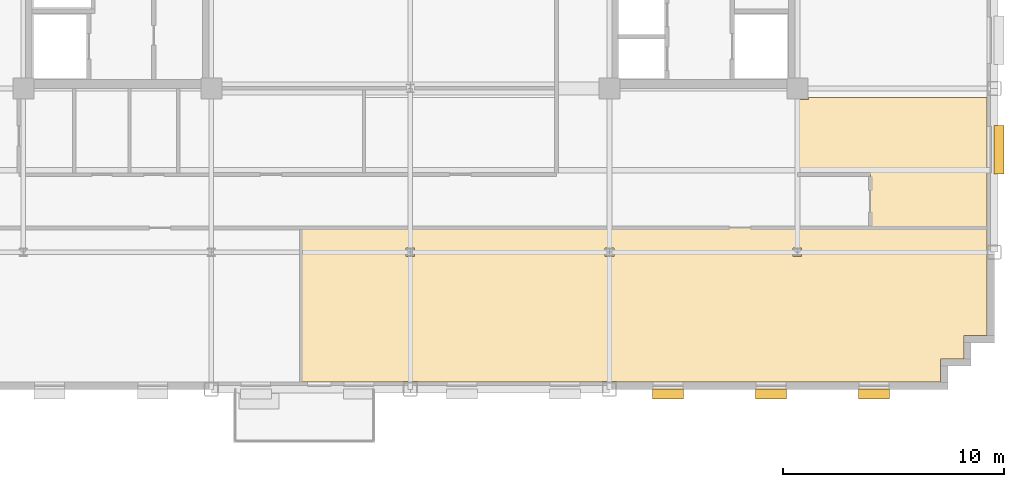
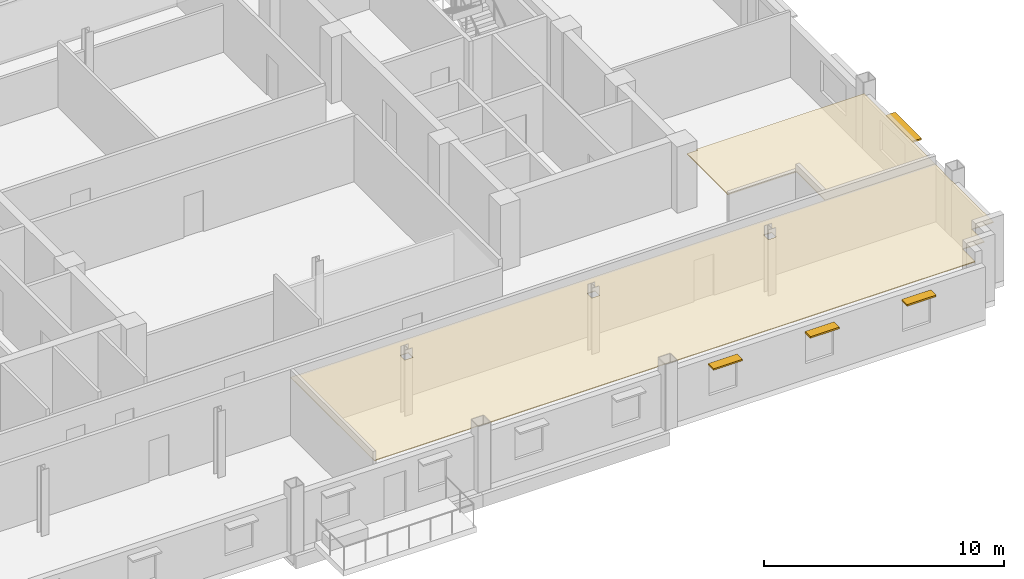
# One storey, part 12 of 14: 4 shading devices, 2 coverings.
"""IFC4 building model written with IfcOpenShell, lengths in metres."""

from ifc_helpers import new_model, si_unit, direction, frame, origin, origin_2d, place, context, subcontext, project, spatial, polyline, rectangle, outline, extrude, source, transform, mapped, material, layer, layer_set, type_object, type_shapes, element, save


model = new_model("IFC4")

# Units and contexts
model_context = context("Model", 3, precision=1e-05, world=origin(), true_north=direction((0.0, 1.0)))
body_context = subcontext(model_context, "Body", "Model", "MODEL_VIEW")
ifc_project = project(units=[si_unit("LENGTHUNIT", "METRE"), si_unit("AREAUNIT", "SQUARE_METRE"), si_unit("VOLUMEUNIT", "CUBIC_METRE"), si_unit("PLANEANGLEUNIT", "RADIAN"), si_unit("MASSUNIT", "GRAM", prefix="KILO")], contexts=[model_context])

# Site, building, storey
site_placement = place(None, origin())
site = spatial("IfcSite", under=ifc_project, at=site_placement, CompositionType="ELEMENT")
building_placement = place(site_placement, origin())
building = spatial("IfcBuilding", under=site, at=building_placement, Name="Nuvemarco Arch Tower", CompositionType="ELEMENT")
storey_placement = place(building_placement, frame((0.0, 0.0, 134.800048828125)))
storey = spatial("IfcBuildingStorey", under=building, at=storey_placement, Name="L35", CompositionType="ELEMENT", Elevation=134.800048828125)

# Coverings
ifc_material_1 = material(Name="Mineral acoustic ceiling tile")
ifc_layer = layer(ifc_material_1, 0.0400390625, Name="COV-ACOUSTIC-CLG")
ifc_layer_set = layer_set([ifc_layer], Name="Mineral acoustic ceiling tile")
covering_type = type_object("IfcCoveringType", Name="COV-ACOUSTIC-CLG", PredefinedType="CEILING", material=ifc_layer_set)
covering_1_placement = place(storey_placement, frame((0.0, 0.0, 2.849853515625)))
element("IfcCovering", 1, at=covering_1_placement, inside=storey, type_object=covering_type, Name="L35 suspended acoustic ceiling 1", PredefinedType="CEILING", context=body_context, shape_type="SweptSolid", body=[
    extrude(outline(polyline([(23.97998046875, -22.8798828125), (9.340087890625, -22.8798828125), (9.340087890625, -22.860107421875), (8.659912109375, -22.860107421875), (8.659912109375, -22.8798828125), (0.340087890625, -22.8798828125), (0.340087890625, -22.860107421875), (-0.340087890625, -22.860107421875), (-0.340087890625, -22.8798828125), (-4.93994140625, -22.8798828125), (-4.93994140625, -15.89990234375), (6.60009765625, -15.89990234375), (9.0, -15.89990234375), (20.800048828125, -15.89990234375), (26.080078125, -15.89990234375), (26.080078125, -16.659912109375), (26.06005859375, -16.659912109375), (26.06005859375, -17.340087890625), (26.080078125, -17.340087890625), (26.080078125, -20.780029296875), (25.030029296875, -20.780029296875), (25.030029296875, -21.830078125), (23.97998046875, -21.830078125), (23.97998046875, -22.8798828125)]), holes=[polyline([(0.195068359375, -17.195068359375), (0.195068359375, -16.804931640625), (-0.195068359375, -16.804931640625), (-0.195068359375, -17.195068359375), (0.195068359375, -17.195068359375)]), polyline([(9.195068359375, -17.195068359375), (9.195068359375, -16.804931640625), (8.804931640625, -16.804931640625), (8.804931640625, -17.195068359375), (9.195068359375, -17.195068359375)]), polyline([(17.695068359375, -17.195068359375), (17.695068359375, -16.804931640625), (17.304931640625, -16.804931640625), (17.304931640625, -17.195068359375), (17.695068359375, -17.195068359375)])]), origin(), (0.0, 0.0, 1.0), 0.0400390625),
])
covering_2_placement = place(storey_placement, frame((0.0, 0.0, 2.849853515625)))
element("IfcCovering", 2, at=covering_2_placement, inside=storey, type_object=covering_type, Name="L35 suspended acoustic ceiling 5", PredefinedType="CEILING", context=body_context, shape_type="SweptSolid", body=[
    extrude(outline(polyline([(17.5, -10.090087890625), (17.989990234375, -10.090087890625), (17.989990234375, -10.0), (26.080078125, -10.0), (26.080078125, -15.89990234375), (20.800048828125, -15.89990234375), (20.800048828125, -13.5), (17.5, -13.5), (17.5, -10.090087890625)])), origin(), (0.0, 0.0, 1.0), 0.0400390625),
])

# Shading devices
ifc_material_2 = material(Name="Anodised aluminium 6063-T6", Category="aluminium")
shading_device_type_1 = type_object("IfcShadingDeviceType", Name="SHD-BRISE-SOLEIL", PredefinedType="USERDEFINED", material=ifc_material_2)
shared_shape_1 = source(origin(), body_context, "Body", "SweptSolid", [
    extrude(rectangle(XDim=2.199951171875, YDim=0.449951171875, at=origin_2d()), origin(), (0.0, 0.0, 1.0), 0.080078125),
])
type_shapes(shading_device_type_1, [shared_shape_1])
shading_device_placement = place(storey_placement, frame((26.614990234375, -12.364990234375, 2.364990234375), z_axis=(0.0, 0.0, 1.0), x_axis=(0.0, 1.0, 0.0)))
element("IfcShadingDevice", 3, at=shading_device_placement, inside=storey, type_object=shading_device_type_1, Name="L35 horizontal brise-soleil sunshade", ObjectType="SUNSHADE", PredefinedType="USERDEFINED", context=body_context, shape_type="MappedRepresentation", body=[
    mapped(shared_shape_1, transform((0.0, 0.0, 0.0), scale=1.0)),
])
shading_device_type_2 = type_object("IfcShadingDeviceType", Name="SHD-BRISE-NARROW", PredefinedType="USERDEFINED", material=ifc_material_2)
shared_shape_2 = source(origin(), body_context, "Body", "SweptSolid", [
    extrude(rectangle(XDim=1.39990234375, YDim=0.449951171875, at=origin_2d()), origin(), (0.0, 0.0, 1.0), 0.080078125),
])
type_shapes(shading_device_type_2, [shared_shape_2])
for number, where, z_axis, x_axis, name in (
    (4, (11.64990234375, -23.4150390625, 2.364990234375), (0.0, 0.0, 1.0), (1.0, 0.0, 0.0), "L35 horizontal brise-soleil sunshade"),
    (5, (16.31005859375, -23.4150390625, 2.364990234375), (0.0, 0.0, 1.0), (1.0, 0.0, 0.0), "L35 horizontal brise-soleil sunshade"),
    (6, (20.969970703125, -23.4150390625, 2.364990234375), (0.0, 0.0, 1.0), (1.0, 0.0, 0.0), "L35 horizontal brise-soleil sunshade"),
):
    element("IfcShadingDevice", number, at=place(storey_placement, frame(where, z_axis=z_axis, x_axis=x_axis)), inside=storey, type_object=shading_device_type_2, Name=name, ObjectType="SUNSHADE", PredefinedType="USERDEFINED", context=body_context, shape_type="MappedRepresentation", body=[
        mapped(shared_shape_2, transform((0.0, 0.0, 0.0), scale=1.0)),
    ])

save(model, "model.ifc")
